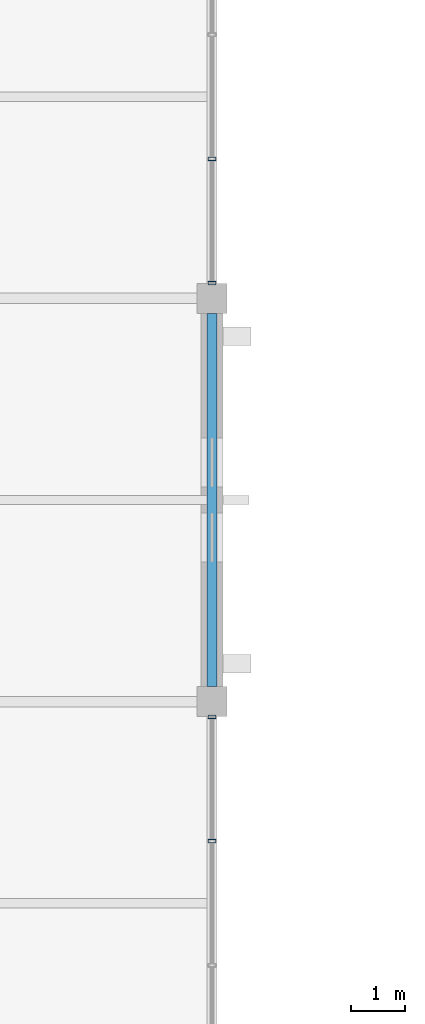
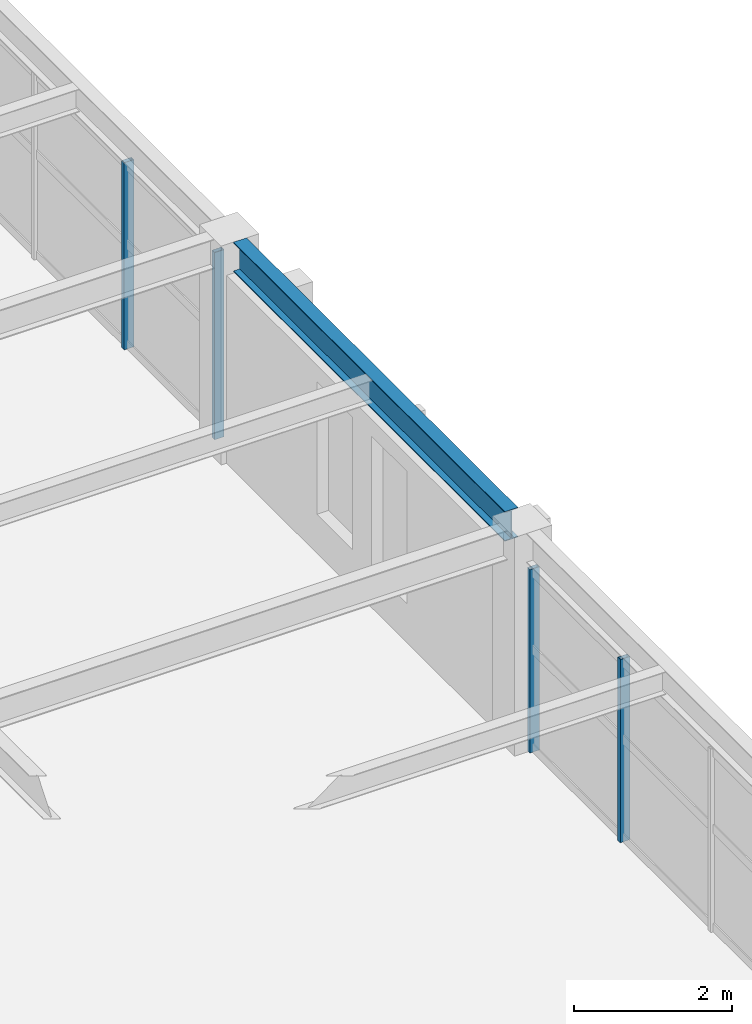
# One storey, part 87 of 121: 4 members, 1 beam, 2 elements without a shape of their own.
"""IFC4 building model written with IfcOpenShell, lengths in metres."""

import ifcopenshell
import ifcopenshell.guid

model = None  # the IFC model being written
_history = None  # IfcOwnerHistory: only IFC2X3 demands one
_inside = {}  # id of a spatial element -> (the spatial element, [elements in it])
_under = {}  # id of a project, library or spatial element -> (it, [spatial elements below it])
_declared = {}  # id of a project -> (the project, [libraries it declares])
_typed = {}  # id of a type object -> (the type object, [elements of that type])
_made_of = {}  # id of a material, layer set ... -> (it, [elements and type objects made of it])


def new_model(schema):
    """Start an empty IFC model of exactly this schema.

    Asked for "IFC4X3", IfcOpenShell would pick the latest addendum, in which some entities
    have other attributes; the version numbers below select the first issue.
    IFC2X3 requires an IfcOwnerHistory on every rooted entity: one is made here for all.
    """
    global model, _history
    if schema == "IFC4X3":
        model = ifcopenshell.file(schema_version=(4, 3, 0, 0))
    else:
        model = ifcopenshell.file(schema=schema)
    _inside.clear()
    _under.clear()
    _declared.clear()
    _typed.clear()
    _made_of.clear()
    _history = None
    if model.schema == "IFC2X3":
        org = make("IfcOrganization", Name="unknown")
        user = make(
            "IfcPersonAndOrganization",
            ThePerson=make("IfcPerson", FamilyName="unknown"),
            TheOrganization=org,
        )
        app = make(
            "IfcApplication",
            ApplicationDeveloper=org,
            Version="unknown",
            ApplicationFullName="unknown",
            ApplicationIdentifier="unknown",
        )
        _history = make(
            "IfcOwnerHistory",
            OwningUser=user,
            OwningApplication=app,
            ChangeAction="ADDED",
            CreationDate=0,
        )
    return model


def make(cls, **values):
    """One entity of the class cls with the attributes given. An attribute that is None is left unset."""
    return model.create_entity(
        cls, **{name: value for name, value in values.items() if value is not None}
    )


def rooted(cls, **values):
    """An entity with a GlobalId (a new one), such as an element, a storey or a relation."""
    return make(cls, GlobalId=ifcopenshell.guid.new(), OwnerHistory=_history, **values)


def si_unit(unit_type, name, prefix=None):
    """IfcSIUnit, for example si_unit("LENGTHUNIT", "METRE", prefix="MILLI")."""
    return make("IfcSIUnit", UnitType=unit_type, Prefix=prefix, Name=name)


def assignment(units):
    """IfcUnitAssignment: the units of a project."""
    return None if units is None else make("IfcUnitAssignment", Units=units)


def point(xyz):
    """IfcCartesianPoint."""
    return None if xyz is None else make("IfcCartesianPoint", Coordinates=xyz)


def direction(xyz):
    """IfcDirection."""
    return None if xyz is None else make("IfcDirection", DirectionRatios=xyz)


def frame(location, z_axis=None, x_axis=None):
    """IfcAxis2Placement3D, a coordinate frame: its origin and axes. An axis left out is left unset."""
    return make(
        "IfcAxis2Placement3D",
        Location=point(location),
        Axis=direction(z_axis),
        RefDirection=direction(x_axis),
    )


def frame_2d(location, x_axis=None):
    """IfcAxis2Placement2D, a coordinate frame in the plane: its origin and x axis."""
    return make(
        "IfcAxis2Placement2D", Location=point(location), RefDirection=direction(x_axis)
    )


def origin():
    """The frame at (0, 0, 0) with its axes left unset."""
    return frame((0.0, 0.0, 0.0))


def origin_2d():
    """The frame at (0, 0) in the plane with its x axis left unset."""
    return frame_2d((0.0, 0.0))


def place(relative_to, where):
    """IfcLocalPlacement: puts the frame where relative to a parent placement (None: the world)."""
    return make(
        "IfcLocalPlacement", PlacementRelTo=relative_to, RelativePlacement=where
    )


def context(
    kind, dimensions, precision=None, world=None, true_north=None, identifier=None
):
    """IfcGeometricRepresentationContext, for example the 3D "Model" context."""
    return make(
        "IfcGeometricRepresentationContext",
        ContextIdentifier=identifier,
        ContextType=kind,
        CoordinateSpaceDimension=dimensions,
        Precision=precision,
        WorldCoordinateSystem=world,
        TrueNorth=true_north,
    )


def subcontext(parent, identifier, kind, view, scale=None):
    """IfcGeometricRepresentationSubContext, for example "Body" below "Model"."""
    return make(
        "IfcGeometricRepresentationSubContext",
        ContextIdentifier=identifier,
        ContextType=kind,
        ParentContext=parent,
        TargetScale=scale,
        TargetView=view,
    )


def project(units=None, contexts=None):
    """IfcProject with its units and contexts."""
    return rooted(
        "IfcProject",
        Name="project",
        RepresentationContexts=contexts,
        UnitsInContext=assignment(units),
    )


def spatial(cls, under=None, at=None, **own):
    """A site, building, storey or space (cls), placed at a placement, below another one or the project."""
    s = rooted(cls, ObjectPlacement=at, **own)
    if under is not None:
        _under.setdefault(under.id(), (under, []))[1].append(s)
    return s


def profile(cls, at=None, kind="AREA", **sizes):
    """A parametric profile (cls). Its sizes go by their IFC names, for example OverallWidth=200.0."""
    return make(cls, ProfileType=kind, Position=at, **sizes)


def hollow_rectangle(**sizes):
    """IfcRectangleHollowProfileDef."""
    return profile("IfcRectangleHollowProfileDef", **sizes)


def i_section(**sizes):
    """IfcIShapeProfileDef."""
    return profile("IfcIShapeProfileDef", **sizes)


def extrude(swept, where, along, depth):
    """IfcExtrudedAreaSolid: the profile swept, set in the frame where, extruded along a direction by depth."""
    return make(
        "IfcExtrudedAreaSolid",
        SweptArea=swept,
        Position=where,
        ExtrudedDirection=direction(along),
        Depth=depth,
    )


def shape(context_of_items, identifier, shape_type, items):
    """IfcShapeRepresentation: the items that make up one representation, for example the "Body"."""
    return make(
        "IfcShapeRepresentation",
        ContextOfItems=context_of_items,
        RepresentationIdentifier=identifier,
        RepresentationType=shape_type,
        Items=items,
    )


def material(Name=None, Category=None):
    """IfcMaterial."""
    return make("IfcMaterial", Name=Name, Category=Category)


def material_profile(
    of_material, cross_section, Name=None, Category=None, Priority=None
):
    """IfcMaterialProfile: a cross section and its material."""
    return make(
        "IfcMaterialProfile",
        Name=Name,
        Material=of_material,
        Profile=cross_section,
        Priority=Priority,
        Category=Category,
    )


def profile_set(profiles, Name=None, composite=None):
    """IfcMaterialProfileSet."""
    return make(
        "IfcMaterialProfileSet",
        Name=Name,
        MaterialProfiles=profiles,
        CompositeProfile=composite,
    )


def made_of(thing, what):
    """Note that an element or type object is made of a material, layer set ...; save() writes the relation."""
    if what is not None:
        _made_of.setdefault(what.id(), (what, []))[1].append(thing)
    return thing


def type_object(cls, material=None, **own):
    """A type object (cls), such as IfcWallType, which elements share."""
    return made_of(rooted(cls, **own), material)


def element(
    cls,
    number,
    at=None,
    inside=None,
    cuts=None,
    type_object=None,
    material=None,
    context=None,
    identifier="Body",
    shape_type=None,
    held_by="IfcProductDefinitionShape",
    body=None,
    shapes=None,
    **own,
):
    """One element of the class cls, such as IfcWall. Its Tag is "e" and its number.

    at: its placement. inside: the storey or other place that contains it. cuts: it is an
    opening in that element (IfcRelVoidsElement). A single representation is given by context,
    identifier, shape_type and body (its items); several are given by shapes. held_by: the class
    of the entity that holds the representations. save() writes the other relations.
    """
    e = rooted(cls, Tag="e%d" % number, ObjectPlacement=at, **own)
    if body is not None:
        shapes = [shape(context, identifier, shape_type, body)]
    if shapes is not None:
        e.Representation = make(held_by, Representations=shapes)
    if inside is not None:
        _inside.setdefault(inside.id(), (inside, []))[1].append(e)
    if cuts is not None:
        rooted(
            "IfcRelVoidsElement", RelatingBuildingElement=cuts, RelatedOpeningElement=e
        )
    if type_object is not None:
        _typed.setdefault(type_object.id(), (type_object, []))[1].append(e)
    return made_of(e, material)


def aggregate(whole, parts):
    """IfcRelAggregates: a whole, such as a stair, and the parts it consists of."""
    return rooted("IfcRelAggregates", RelatingObject=whole, RelatedObjects=parts)


def save(model, path):
    """Write the relations noted so far, then the file.

    IfcRelAggregates (storeys below a building ...), IfcRelContainedInSpatialStructure (elements
    in a storey), IfcRelDefinesByType, IfcRelAssociatesMaterial and IfcRelDeclares: one each for
    every whole, place, type object, material and project.
    """
    for whole, parts in _under.values():
        aggregate(whole, parts)
    for where, things in _inside.values():
        rooted(
            "IfcRelContainedInSpatialStructure",
            RelatedElements=things,
            RelatingStructure=where,
        )
    for kind, things in _typed.values():
        rooted("IfcRelDefinesByType", RelatedObjects=things, RelatingType=kind)
    for what, things in _made_of.values():
        rooted("IfcRelAssociatesMaterial", RelatedObjects=things, RelatingMaterial=what)
    for by, libraries in _declared.values():
        rooted("IfcRelDeclares", RelatingContext=by, RelatedDefinitions=libraries)
    model.write(path)


model = new_model("IFC4")

# Units and contexts
model_context = context("Model", 3, precision=1e-05, world=origin(), true_north=direction((0.0, 1.0)))
body_context = subcontext(model_context, "Body", "Model", "MODEL_VIEW")
ifc_project = project(units=[si_unit("LENGTHUNIT", "METRE"), si_unit("AREAUNIT", "SQUARE_METRE"), si_unit("VOLUMEUNIT", "CUBIC_METRE"), si_unit("PLANEANGLEUNIT", "RADIAN"), si_unit("MASSUNIT", "GRAM", prefix="KILO")], contexts=[model_context])

# Site, building, storey
site_placement = place(None, origin())
site = spatial("IfcSite", under=ifc_project, at=site_placement, CompositionType="ELEMENT")
building_placement = place(site_placement, origin())
building = spatial("IfcBuilding", under=site, at=building_placement, Name="Cimatlan Art Gallery", CompositionType="ELEMENT")
storey_placement = place(building_placement, frame((0.0, 0.0, 10.199951171875)))
storey = spatial("IfcBuildingStorey", under=building, at=storey_placement, Name="L02", CompositionType="ELEMENT", Elevation=10.199951171875)

# Beam
ifc_material_1 = material(Name="Steel ASTM A992 Grade 50", Category="steel")
ifc_material_profile_1 = material_profile(ifc_material_1, i_section(OverallWidth=0.19091796875, OverallDepth=0.45703125, WebThickness=0.009033203125, FlangeThickness=0.014404296875, at=origin_2d()), Name="W18X50")
ifc_profile_set_1 = profile_set([ifc_material_profile_1], Name="Steel ASTM A992 Grade 50")
beam_type = type_object("IfcBeamType", Name="BM-STL-W18X50", PredefinedType="BEAM", material=ifc_profile_set_1)
beam_placement = place(storey_placement, frame((131.60009765625, 68.574951171875, 3.1416015625), z_axis=(0.0, 1.0, 0.0), x_axis=(-1.0, 0.0, 0.0)))
element("IfcBeam", 1, at=beam_placement, inside=storey, type_object=beam_type, Name="BM-Y-L02-16-09", PredefinedType="BEAM", context=body_context, shape_type="SweptSolid", body=[
    extrude(i_section(OverallWidth=0.19091796875, OverallDepth=0.45703125, WebThickness=0.009033203125, FlangeThickness=0.014404296875, at=origin_2d()), origin(), (0.0, 0.0, 1.0), 6.85009765625),
])

# Curtain wall, members
ifc_material_2 = material(Name="Anodised bronze unitised curtain wall")
curtain_wall_type_1 = type_object("IfcCurtainWallType", Name="CW-V-06842X02823-B3", PredefinedType="NOTDEFINED", material=ifc_material_2)
curtain_wall_1_placement = place(storey_placement, origin())
curtain_wall_1 = element("IfcCurtainWall", 2, at=curtain_wall_1_placement, inside=storey, type_object=curtain_wall_type_1, Name="CW-L02-15-08-E", PredefinedType="NOTDEFINED")
ifc_material_3 = material(Name="Anodised bronze aluminium 6063-T6", Category="aluminium")
ifc_material_profile_2 = material_profile(ifc_material_3, hollow_rectangle(XDim=0.06494140625, YDim=0.139892578125, WallThickness=0.00390625, at=origin_2d()), Name="ALU65X140X4")
ifc_profile_set_2 = profile_set([ifc_material_profile_2], Name="Anodised bronze aluminium 6063-T6")
member_type = type_object("IfcMemberType", Name="CW-MUL-140", PredefinedType="MULLION", material=ifc_profile_set_2)
member_1_placement = place(storey_placement, frame((131.60009765625, 68.02099609375, 0.0), z_axis=(0.0, 0.0, 1.0), x_axis=(0.0, 1.0, 0.0)))
member_1 = element("IfcMember", 3, at=member_1_placement, type_object=member_type, Name="CW-L02-15-08-E-M1", PredefinedType="MULLION", context=body_context, shape_type="SweptSolid", body=[
    extrude(hollow_rectangle(XDim=0.06494140625, YDim=0.139892578125, WallThickness=0.00390625, at=origin_2d()), origin(), (0.0, 0.0, 1.0), 2.822998046875),
])
member_2_placement = place(storey_placement, frame((131.60009765625, 65.740234375, 0.0), z_axis=(0.0, 0.0, 1.0), x_axis=(0.0, 1.0, 0.0)))
member_2 = element("IfcMember", 4, at=member_2_placement, type_object=member_type, Name="CW-L02-15-08-E-M2", PredefinedType="MULLION", context=body_context, shape_type="SweptSolid", body=[
    extrude(hollow_rectangle(XDim=0.06494140625, YDim=0.139892578125, WallThickness=0.00390625, at=origin_2d()), origin(), (0.0, 0.0, 1.0), 2.822998046875),
])
aggregate(curtain_wall_1, [member_1, member_2])

curtain_wall_type_2 = type_object("IfcCurtainWallType", Name="CW-V-06842X02883-B3", PredefinedType="NOTDEFINED", material=ifc_material_2)
curtain_wall_2_placement = place(storey_placement, origin())
curtain_wall_2 = element("IfcCurtainWall", 5, at=curtain_wall_2_placement, inside=storey, type_object=curtain_wall_type_2, Name="CW-L02-15-10-E", PredefinedType="NOTDEFINED")
member_3_placement = place(storey_placement, frame((131.60009765625, 78.259765625, 0.0), z_axis=(0.0, 0.0, 1.0), x_axis=(0.0, 1.0, 0.0)))
member_3 = element("IfcMember", 6, at=member_3_placement, type_object=member_type, Name="CW-L02-15-10-E-M3", PredefinedType="MULLION", context=body_context, shape_type="SweptSolid", body=[
    extrude(hollow_rectangle(XDim=0.06494140625, YDim=0.139892578125, WallThickness=0.00390625, at=origin_2d()), origin(), (0.0, 0.0, 1.0), 2.883056640625),
])
member_4_placement = place(storey_placement, frame((131.60009765625, 75.97900390625, 0.0), z_axis=(0.0, 0.0, 1.0), x_axis=(0.0, 1.0, 0.0)))
member_4 = element("IfcMember", 7, at=member_4_placement, type_object=member_type, Name="CW-L02-15-10-E-M4", PredefinedType="MULLION", context=body_context, shape_type="SweptSolid", body=[
    extrude(hollow_rectangle(XDim=0.06494140625, YDim=0.139892578125, WallThickness=0.00390625, at=origin_2d()), origin(), (0.0, 0.0, 1.0), 2.883056640625),
])
aggregate(curtain_wall_2, [member_3, member_4])

save(model, "model.ifc")
